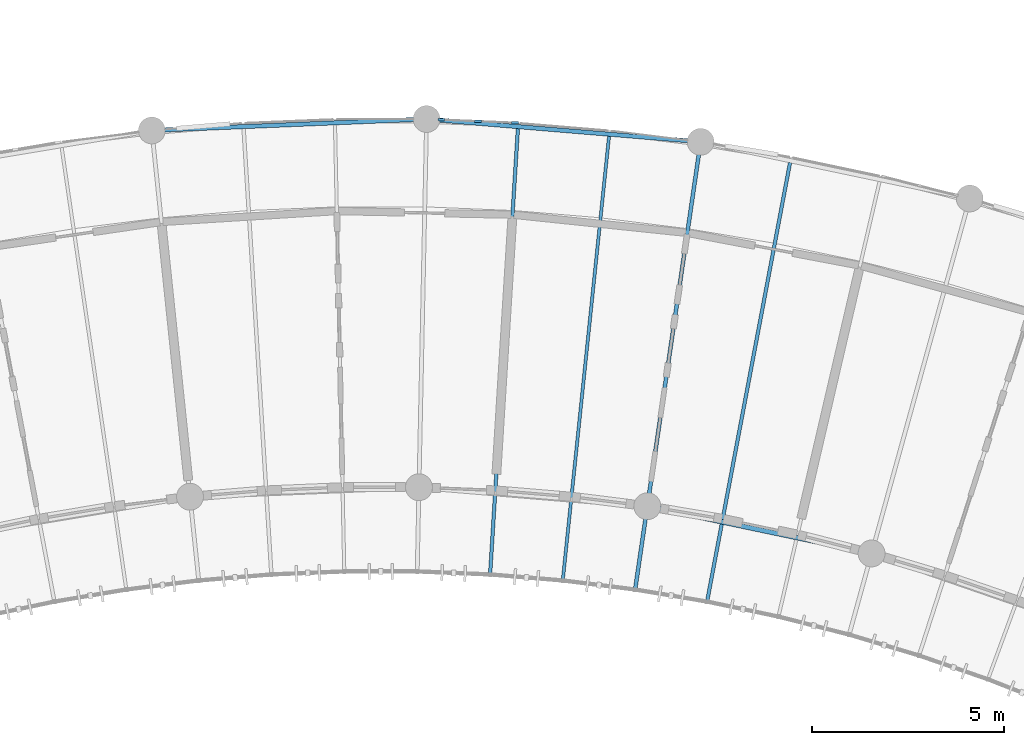
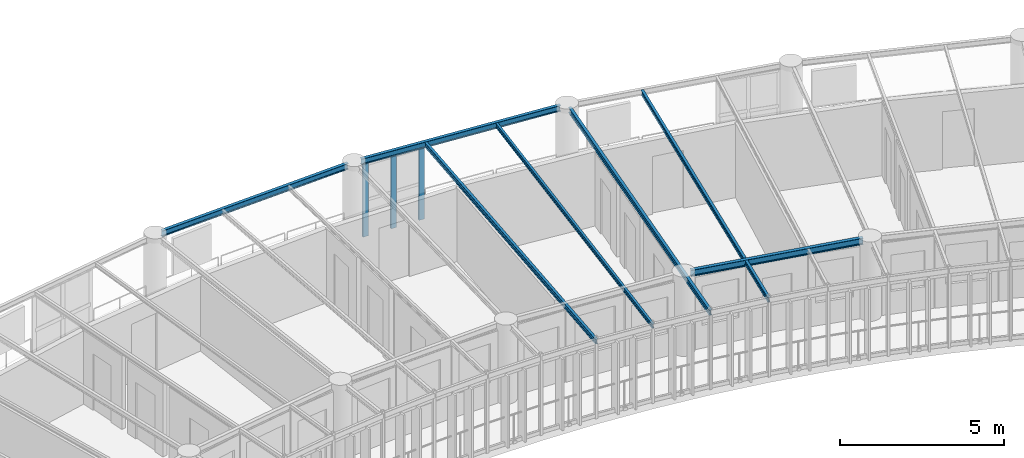
# One storey, part 55 of 137: 7 beams, 3 members, 1 element without a shape of its own.
"""IFC4 building model written with IfcOpenShell, lengths in metres."""

from ifc_helpers import new_model, si_unit, direction, frame, origin, origin_2d, place, context, subcontext, project, spatial, rectangle, i_section, extrude, material, layer, layer_set, material_profile, profile_set, type_object, element, aggregate, save


model = new_model("IFC4")

# Units and contexts
model_context = context("Model", 3, precision=1e-05, world=origin(), true_north=direction((0.0, 1.0)))
body_context = subcontext(model_context, "Body", "Model", "MODEL_VIEW")
ifc_project = project(units=[si_unit("LENGTHUNIT", "METRE"), si_unit("AREAUNIT", "SQUARE_METRE"), si_unit("VOLUMEUNIT", "CUBIC_METRE"), si_unit("PLANEANGLEUNIT", "RADIAN"), si_unit("MASSUNIT", "GRAM", prefix="KILO"), si_unit("POWERUNIT", "WATT"), si_unit("THERMODYNAMICTEMPERATUREUNIT", "KELVIN")], contexts=[model_context])

# Site, building, storey
site_placement = place(None, origin())
site = spatial("IfcSite", under=ifc_project, at=site_placement, CompositionType="ELEMENT")
building_placement = place(site_placement, origin())
building = spatial("IfcBuilding", under=site, at=building_placement, Name="Ruvembo Vaulted Housing Court", CompositionType="ELEMENT")
storey_placement = place(building_placement, frame((0.0, 0.0, 4.5)))
storey = spatial("IfcBuildingStorey", under=building, at=storey_placement, Name="L01", CompositionType="ELEMENT", Elevation=4.5)

# Beams
ifc_material_1 = material(Name="Steel S355J2", Category="steel")
ifc_material_profile_1 = material_profile(ifc_material_1, i_section(OverallWidth=0.08203125, OverallDepth=0.159912109375, WebThickness=0.0048828125, FlangeThickness=0.00732421875, FilletRadius=0.009033203125, at=origin_2d()), Name="IPE 160")
ifc_profile_set_1 = profile_set([ifc_material_profile_1], Name="Steel S355J2")
beam_type_1 = type_object("IfcBeamType", Name="BM-ST-IPE160", PredefinedType="JOIST", material=ifc_profile_set_1)
beam_1_placement = place(storey_placement, frame((122.951416015625, 107.1416015625, 2.860107421875), z_axis=(-0.103603071439, -0.994618722722, 0.0), x_axis=(0.994618722722, -0.103603071439, 0.0)))
element("IfcBeam", 1, at=beam_1_placement, inside=storey, type_object=beam_type_1, Name="Scoop SC3 L01 Radial Steel Joist 17", PredefinedType="JOIST", context=body_context, shape_type="SweptSolid", body=[
    extrude(i_section(OverallWidth=0.08203125, OverallDepth=0.159912109375, WebThickness=0.0048828125, FlangeThickness=0.00732421875, FilletRadius=0.009033203125, at=origin_2d()), origin(), (0.0, 0.0, 1.0), 11.690673828125),
])
ifc_material_profile_2 = material_profile(ifc_material_1, i_section(OverallWidth=0.091064453125, OverallDepth=0.179931640625, WebThickness=0.00537109375, FlangeThickness=0.008056640625, FilletRadius=0.009033203125, at=origin_2d()), Name="IPE 180")
ifc_profile_set_2 = profile_set([ifc_material_profile_2], Name="Steel S355J2")
beam_type_2 = type_object("IfcBeamType", Name="BM-ST-IPE180", PredefinedType="JOIST", material=ifc_profile_set_2)
for number, where, z_axis, x_axis, name in (
    (2, (120.574951171875, 107.33935546875, 2.85009765625), (-0.062232670177, -0.998061668817, 0.0), (0.998061668817, -0.062232670177, 0.0), "Scoop SC3 L01 Radial Steel Joist 16"),
    (3, (127.66943359375, 106.451416015625, 2.85009765625), (-0.185715658809, -0.982603528425, 0.0), (0.982603528425, -0.185715658809, 0.0), "Scoop SC3 L01 Radial Steel Joist 19"),
):
    element("IfcBeam", number, at=place(storey_placement, frame(where, z_axis=z_axis, x_axis=x_axis)), inside=storey, type_object=beam_type_2, Name=name, PredefinedType="JOIST", context=body_context, shape_type="SweptSolid", body=[
        extrude(i_section(OverallWidth=0.091064453125, OverallDepth=0.179931640625, WebThickness=0.00537109375, FlangeThickness=0.008056640625, FilletRadius=0.009033203125, at=origin_2d()), origin(), (0.0, 0.0, 1.0), 11.690673828125),
    ])
ifc_material_profile_3 = material_profile(ifc_material_1, i_section(OverallWidth=0.10009765625, OverallDepth=0.199951171875, WebThickness=0.005615234375, FlangeThickness=0.008544921875, FilletRadius=0.011962890625, at=origin_2d()), Name="IPE 200")
ifc_profile_set_3 = profile_set([ifc_material_profile_3], Name="Steel S355J2")
beam_type_3 = type_object("IfcBeamType", Name="BM-ST-IPE200", PredefinedType="BEAM", material=ifc_profile_set_3)
beam_2_placement = place(storey_placement, frame((125.305908203125, 106.765625, 2.840087890625), z_axis=(-0.144779596982, -0.989463929761, 0.0), x_axis=(0.989463929761, -0.144779596982, 0.0)))
element("IfcBeam", 4, at=beam_2_placement, inside=storey, type_object=beam_type_3, Name="Scoop SC3 L01 Radial Steel Joist 18", PredefinedType="BEAM", context=body_context, shape_type="SweptSolid", body=[
    extrude(i_section(OverallWidth=0.10009765625, OverallDepth=0.199951171875, WebThickness=0.005615234375, FlangeThickness=0.008544921875, FilletRadius=0.011962890625, at=origin_2d()), origin(), (0.0, 0.0, 1.0), 11.610107421875),
])
ifc_material_profile_4 = material_profile(ifc_material_1, i_section(OverallWidth=0.110107421875, OverallDepth=0.219970703125, WebThickness=0.005859375, FlangeThickness=0.00927734375, FilletRadius=0.011962890625, at=origin_2d()), Name="IPE 220")
ifc_profile_set_4 = profile_set([ifc_material_profile_4], Name="Steel S355J2")
beam_type_4 = type_object("IfcBeamType", Name="BM-ST-IPE220", PredefinedType="SPANDREL", material=ifc_profile_set_4)
for number, where, z_axis, x_axis, name in (
    (5, (111.262939453125, 107.299560546875, 2.83203125), (0.999137482587, 0.04152458176, 0.0), (-0.04152458176, 0.999137482587, 0.0), "Scoop SC3 L01 Chord Girder B12"),
    (6, (118.424560546875, 107.568603515625, 2.83203125), (0.996554537231, -0.082940064651, 0.0), (0.082940064651, 0.996554537231, 0.0), "Scoop SC3 L01 Chord Girder B15"),
):
    element("IfcBeam", number, at=place(storey_placement, frame(where, z_axis=z_axis, x_axis=x_axis)), inside=storey, type_object=beam_type_4, Name=name, PredefinedType="SPANDREL", context=body_context, shape_type="SweptSolid", body=[
        extrude(i_section(OverallWidth=0.110107421875, OverallDepth=0.219970703125, WebThickness=0.005859375, FlangeThickness=0.00927734375, FilletRadius=0.011962890625, at=origin_2d()), origin(), (0.0, 0.0, 1.0), 6.70849609375),
    ])
ifc_material_profile_5 = material_profile(ifc_material_1, i_section(OverallWidth=0.1201171875, OverallDepth=0.239990234375, WebThickness=0.006103515625, FlangeThickness=0.009765625, FilletRadius=0.014892578125, at=origin_2d()), Name="IPE 240")
ifc_profile_set_5 = profile_set([ifc_material_profile_5], Name="Steel S355J2")
beam_type_5 = type_object("IfcBeamType", Name="BM-ST-IPE240", PredefinedType="BEAM", material=ifc_profile_set_5)
beam_3_placement = place(storey_placement, frame((124.17431640625, 97.447021484375, 2.822021484375), z_axis=(0.978535688383, -0.206077428559, 0.0), x_axis=(0.206077428559, 0.978535688383, 0.0)))
element("IfcBeam", 7, at=beam_3_placement, inside=storey, type_object=beam_type_5, Name="Scoop SC3 L01 Chord Girder F18", PredefinedType="BEAM", context=body_context, shape_type="SweptSolid", body=[
    extrude(i_section(OverallWidth=0.1201171875, OverallDepth=0.239990234375, WebThickness=0.006103515625, FlangeThickness=0.009765625, FilletRadius=0.014892578125, at=origin_2d()), origin(), (0.0, 0.0, 1.0), 5.513671875),
])

# Curtain wall, members
ifc_material_2 = material(Name="Anodised Aluminium and Solar-Control Glass", Category="aluminium")
ifc_layer = layer(ifc_material_2, 0.1201171875, Name="Anodised Aluminium and Solar-Control Glass")
ifc_layer_set = layer_set([ifc_layer], Name="Anodised Aluminium and Solar-Control Glass")
curtain_wall_type = type_object("IfcCurtainWallType", Name="CW-SCOOP-GAL", PredefinedType="NOTDEFINED", material=ifc_layer_set)
curtain_wall_placement = place(storey_placement, origin())
curtain_wall = element("IfcCurtainWall", 8, at=curtain_wall_placement, inside=storey, type_object=curtain_wall_type, Name="L01 Curtain Wall CW-L01-0062", PredefinedType="NOTDEFINED")
ifc_material_3 = material(Name="Anodised Aluminium 6063-T6", Category="aluminium")
ifc_material_profile_6 = material_profile(ifc_material_3, rectangle(XDim=0.06494140625, YDim=0.179931640625, at=origin_2d()), Name="ALU 65x180")
ifc_profile_set_6 = profile_set([ifc_material_profile_6], Name="Anodised Aluminium 6063-T6")
member_type = type_object("IfcMemberType", Name="CW-MUL-65x180", PredefinedType="MULLION", material=ifc_profile_set_6)
member_1_placement = place(storey_placement, frame((118.57763671875, 107.57177734375, 0.0), z_axis=(0.0, 0.0, 1.0), x_axis=(0.041490559959, 0.999138895967, 0.0)))
member_1 = element("IfcMember", 9, at=member_1_placement, type_object=member_type, Name="CW6 mullion 1", PredefinedType="MULLION", context=body_context, shape_type="SweptSolid", body=[
    extrude(rectangle(XDim=0.06494140625, YDim=0.179931640625, at=origin_2d()), origin(), (0.0, 0.0, 1.0), 2.697998046875),
])
member_2_placement = place(storey_placement, frame((119.53955078125, 107.53173828125, 0.0), z_axis=(0.0, 0.0, 1.0), x_axis=(0.041490559959, 0.999138895967, 0.0)))
member_2 = element("IfcMember", 10, at=member_2_placement, type_object=member_type, Name="CW6 mullion 2", PredefinedType="MULLION", context=body_context, shape_type="SweptSolid", body=[
    extrude(rectangle(XDim=0.06494140625, YDim=0.179931640625, at=origin_2d()), origin(), (0.0, 0.0, 1.0), 2.697998046875),
])
member_3_placement = place(storey_placement, frame((120.501708984375, 107.491943359375, 0.0), z_axis=(0.0, 0.0, 1.0), x_axis=(0.041490559959, 0.999138895967, 0.0)))
member_3 = element("IfcMember", 11, at=member_3_placement, type_object=member_type, Name="CW6 mullion 3", PredefinedType="MULLION", context=body_context, shape_type="SweptSolid", body=[
    extrude(rectangle(XDim=0.06494140625, YDim=0.179931640625, at=origin_2d()), origin(), (0.0, 0.0, 1.0), 2.697998046875),
])
aggregate(curtain_wall, [member_1, member_2, member_3])

save(model, "model.ifc")
